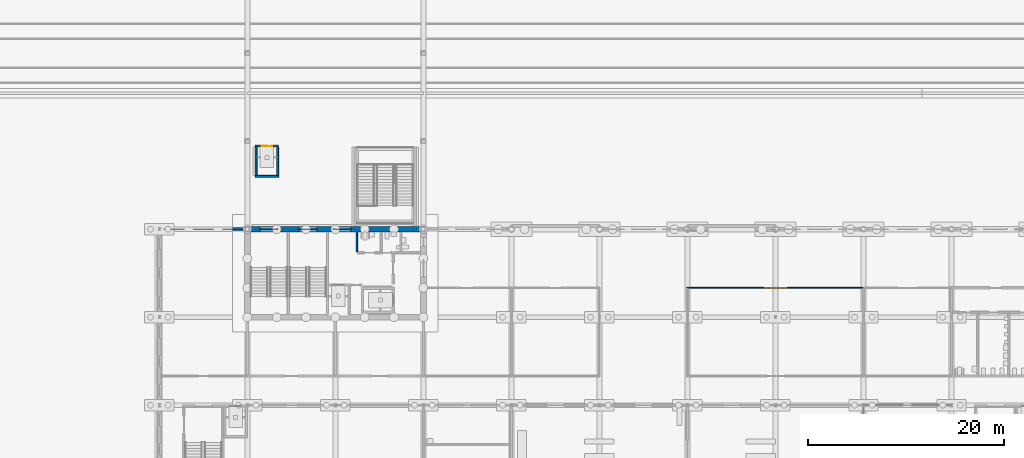
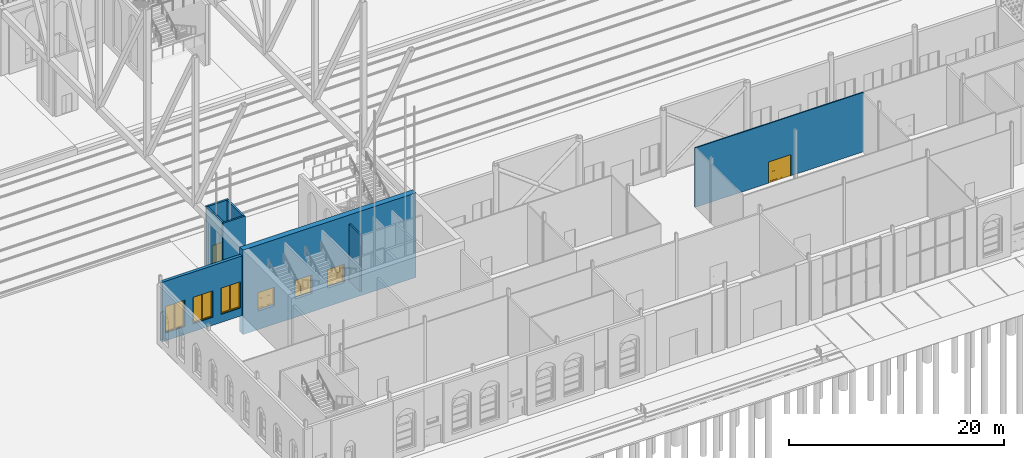
# One storey, part 97 of 250: 8 walls, 5 doors, 3 windows, 8 openings.
"""IFC4 building model written with IfcOpenShell, lengths in metres."""

from ifc_helpers import new_model, si_unit, direction, frame, frame_2d, origin, place, context, subcontext, project, spatial, polyline, rectangle, outline, extrude, material, layer, layer_set, type_object, element, fill, save


model = new_model("IFC4")

# Units and contexts
model_context = context("Model", 3, precision=1e-05, world=origin(), true_north=direction((0.0, 1.0)))
body_context = subcontext(model_context, "Body", "Model", "MODEL_VIEW")
ifc_project = project(units=[si_unit("LENGTHUNIT", "METRE"), si_unit("AREAUNIT", "SQUARE_METRE"), si_unit("VOLUMEUNIT", "CUBIC_METRE"), si_unit("PLANEANGLEUNIT", "RADIAN"), si_unit("MASSUNIT", "GRAM", prefix="KILO")], contexts=[model_context])

# Site, building, storey
site_placement = place(None, origin())
site = spatial("IfcSite", under=ifc_project, at=site_placement, CompositionType="ELEMENT")
building_placement = place(site_placement, origin())
building = spatial("IfcBuilding", under=site, at=building_placement, Name="Baradari Gate Terminus", CompositionType="ELEMENT")
storey_placement = place(building_placement, origin())
storey = spatial("IfcBuildingStorey", under=building, at=storey_placement, Name="L00", CompositionType="ELEMENT", Elevation=0.0)

# Wall, openings, doors
ifc_material_1 = material(Name="Concrete C40/50", Category="concrete")
ifc_layer_1 = layer(ifc_material_1, 0.60009765625)
ifc_layer_set_1 = layer_set([ifc_layer_1], Name="Concrete C40/50")
wall_type_1 = type_object("IfcWallType", Name="Abutment core wall CWL04 600", PredefinedType="SOLIDWALL", material=ifc_layer_set_1)
wall_1_placement = place(storey_placement, frame((71.699951171875, 36.0, -2.10009765625), z_axis=(0.0, 0.0, 1.0), x_axis=(1.0, 0.0, 0.0)))
wall_1 = element("IfcWall", 1, at=wall_1_placement, inside=storey, type_object=wall_type_1, Name="Abutment core wall GS N L00", PredefinedType="SOLIDWALL", context=body_context, shape_type="SweptSolid", body=[
    extrude(rectangle(XDim=18.60009765625, YDim=0.60009765625, at=frame_2d((9.300048828125, 0.0))), origin(), (0.0, 0.0, 1.0), 9.60009765625),
])
opening_1_placement = place(wall_1_placement, frame((1.60009765625, 0.0, 2.10009765625)))
opening_1 = element("IfcOpeningElement", 2, at=opening_1_placement, cuts=wall_1, Name="Opening D00-161", PredefinedType="OPENING", context=body_context, shape_type="SweptSolid", body=[
    extrude(rectangle(XDim=1.800048828125, YDim=2.10009765625, at=frame_2d((0.89990234375, 1.050048828125))), frame((0.0, 0.31005859375, 0.0), z_axis=(0.0, -1.0, 0.0), x_axis=(1.0, 0.0, 0.0)), (0.0, 0.0, 1.0), 0.6201171875),
])
opening_2_placement = place(wall_1_placement, frame((5.60009765625, 0.0, 2.10009765625)))
opening_2 = element("IfcOpeningElement", 3, at=opening_2_placement, cuts=wall_1, Name="Opening D00-162", PredefinedType="OPENING", context=body_context, shape_type="SweptSolid", body=[
    extrude(rectangle(XDim=1.800048828125, YDim=2.10009765625, at=frame_2d((0.89990234375, 1.050048828125))), frame((0.0, 0.31005859375, 0.0), z_axis=(0.0, -1.0, 0.0), x_axis=(1.0, 0.0, 0.0)), (0.0, 0.0, 1.0), 0.6201171875),
])
opening_3_placement = place(wall_1_placement, frame((9.10009765625, 0.0, 2.10009765625)))
opening_3 = element("IfcOpeningElement", 4, at=opening_3_placement, cuts=wall_1, Name="Opening D00-163", PredefinedType="OPENING", context=body_context, shape_type="SweptSolid", body=[
    extrude(rectangle(XDim=1.800048828125, YDim=2.10009765625, at=frame_2d((0.89990234375, 1.050048828125))), frame((0.0, 0.31005859375, 0.0), z_axis=(0.0, -1.0, 0.0), x_axis=(1.0, 0.0, 0.0)), (0.0, 0.0, 1.0), 0.6201171875),
])
ifc_material_2 = material(Name="Steel S275", Category="steel")
door_type_1 = type_object("IfcDoorType", Name="Fire door FI-1800-FD90S 1800x2100 FD90S", OperationType="DOUBLE_DOOR_SINGLE_SWING", PredefinedType="DOOR", material=ifc_material_2)
door_1_placement = place(opening_1_placement, origin())
door_1 = element("IfcDoor", 5, at=door_1_placement, inside=storey, type_object=door_type_1, Name="Door Stair (Gate South) 1", OperationType="DOUBLE_DOOR_SINGLE_SWING", OverallHeight=2.1, OverallWidth=1.8, PredefinedType="DOOR", context=body_context, shape_type="SweptSolid", body=[
    extrude(outline(polyline([(0.0, 0.0), (0.070068359375, 0.0), (0.070068359375, 2.030029296875), (1.72998046875, 2.030029296875), (1.72998046875, 0.0), (1.800048828125, 0.0), (1.800048828125, 2.10009765625), (0.0, 2.10009765625), (0.0, 0.0)])), frame((0.0, 0.02490234375, 0.0), z_axis=(0.0, -1.0, 0.0), x_axis=(1.0, 0.0, 0.0)), (0.0, 0.0, 1.0), 0.050048828125),
    extrude(outline(polyline([(0.073974609375, 0.010009765625), (0.89697265625, 0.010009765625), (0.89697265625, 2.026123046875), (0.073974609375, 2.026123046875), (0.073974609375, 0.010009765625)]), holes=[polyline([(0.194091796875, 0.159912109375), (0.77685546875, 0.159912109375), (0.77685546875, 1.010009765625), (0.194091796875, 1.010009765625), (0.194091796875, 0.159912109375)]), polyline([(0.33544921875, 1.159912109375), (0.635498046875, 1.159912109375), (0.635498046875, 1.760009765625), (0.33544921875, 1.760009765625), (0.33544921875, 1.159912109375)])]), frame((0.0, 0.017333984375, 0.0), z_axis=(0.0, -1.0, 0.0), x_axis=(1.0, 0.0, 0.0)), (0.0, 0.0, 1.0), 0.034912109375),
    extrude(rectangle(XDim=0.582763671875, YDim=0.85009765625, at=frame_2d((0.4853515625, 0.5849609375))), frame((0.0, 0.008544921875, 0.0), z_axis=(0.0, -1.0, 0.0), x_axis=(1.0, 0.0, 0.0)), (0.0, 0.0, 1.0), 0.017333984375),
    extrude(rectangle(XDim=0.300048828125, YDim=0.60009765625, at=frame_2d((0.4853515625, 1.4599609375))), frame((0.0, 0.005859375, 0.0), z_axis=(0.0, -1.0, 0.0), x_axis=(1.0, 0.0, 0.0)), (0.0, 0.0, 1.0), 0.011962890625),
    extrude(outline(polyline([(0.903076171875, 0.010009765625), (1.72607421875, 0.010009765625), (1.72607421875, 2.026123046875), (0.903076171875, 2.026123046875), (0.903076171875, 0.010009765625)]), holes=[polyline([(1.023193359375, 0.159912109375), (1.60595703125, 0.159912109375), (1.60595703125, 1.010009765625), (1.023193359375, 1.010009765625), (1.023193359375, 0.159912109375)]), polyline([(1.16455078125, 1.159912109375), (1.464599609375, 1.159912109375), (1.464599609375, 1.760009765625), (1.16455078125, 1.760009765625), (1.16455078125, 1.159912109375)])]), frame((0.0, 0.017333984375, 0.0), z_axis=(0.0, -1.0, 0.0), x_axis=(1.0, 0.0, 0.0)), (0.0, 0.0, 1.0), 0.034912109375),
    extrude(rectangle(XDim=0.582763671875, YDim=0.85009765625, at=frame_2d((1.314453125, 0.5849609375))), frame((0.0, 0.008544921875, 0.0), z_axis=(0.0, -1.0, 0.0), x_axis=(1.0, 0.0, 0.0)), (0.0, 0.0, 1.0), 0.017333984375),
    extrude(rectangle(XDim=0.300048828125, YDim=0.60009765625, at=frame_2d((1.314453125, 1.4599609375))), frame((0.0, 0.005859375, 0.0), z_axis=(0.0, -1.0, 0.0), x_axis=(1.0, 0.0, 0.0)), (0.0, 0.0, 1.0), 0.011962890625),
])
fill(opening_1, door_1)
door_2_placement = place(opening_2_placement, origin())
door_2 = element("IfcDoor", 6, at=door_2_placement, inside=storey, type_object=door_type_1, Name="Door Stair (Gate South) 2", OperationType="DOUBLE_DOOR_SINGLE_SWING", OverallHeight=2.1, OverallWidth=1.8, PredefinedType="DOOR", context=body_context, shape_type="SweptSolid", body=[
    extrude(outline(polyline([(0.0, 0.0), (0.070068359375, 0.0), (0.070068359375, 2.030029296875), (1.72998046875, 2.030029296875), (1.72998046875, 0.0), (1.800048828125, 0.0), (1.800048828125, 2.10009765625), (0.0, 2.10009765625), (0.0, 0.0)])), frame((0.0, 0.02490234375, 0.0), z_axis=(0.0, -1.0, 0.0), x_axis=(1.0, 0.0, 0.0)), (0.0, 0.0, 1.0), 0.050048828125),
    extrude(outline(polyline([(0.073974609375, 0.010009765625), (0.89697265625, 0.010009765625), (0.89697265625, 2.026123046875), (0.073974609375, 2.026123046875), (0.073974609375, 0.010009765625)]), holes=[polyline([(0.194091796875, 0.159912109375), (0.77685546875, 0.159912109375), (0.77685546875, 1.010009765625), (0.194091796875, 1.010009765625), (0.194091796875, 0.159912109375)]), polyline([(0.33544921875, 1.159912109375), (0.635498046875, 1.159912109375), (0.635498046875, 1.760009765625), (0.33544921875, 1.760009765625), (0.33544921875, 1.159912109375)])]), frame((0.0, 0.017333984375, 0.0), z_axis=(0.0, -1.0, 0.0), x_axis=(1.0, 0.0, 0.0)), (0.0, 0.0, 1.0), 0.034912109375),
    extrude(rectangle(XDim=0.582763671875, YDim=0.85009765625, at=frame_2d((0.4853515625, 0.5849609375))), frame((0.0, 0.008544921875, 0.0), z_axis=(0.0, -1.0, 0.0), x_axis=(1.0, 0.0, 0.0)), (0.0, 0.0, 1.0), 0.017333984375),
    extrude(rectangle(XDim=0.300048828125, YDim=0.60009765625, at=frame_2d((0.4853515625, 1.4599609375))), frame((0.0, 0.005859375, 0.0), z_axis=(0.0, -1.0, 0.0), x_axis=(1.0, 0.0, 0.0)), (0.0, 0.0, 1.0), 0.011962890625),
    extrude(outline(polyline([(0.903076171875, 0.010009765625), (1.72607421875, 0.010009765625), (1.72607421875, 2.026123046875), (0.903076171875, 2.026123046875), (0.903076171875, 0.010009765625)]), holes=[polyline([(1.023193359375, 0.159912109375), (1.60595703125, 0.159912109375), (1.60595703125, 1.010009765625), (1.023193359375, 1.010009765625), (1.023193359375, 0.159912109375)]), polyline([(1.16455078125, 1.159912109375), (1.464599609375, 1.159912109375), (1.464599609375, 1.760009765625), (1.16455078125, 1.760009765625), (1.16455078125, 1.159912109375)])]), frame((0.0, 0.017333984375, 0.0), z_axis=(0.0, -1.0, 0.0), x_axis=(1.0, 0.0, 0.0)), (0.0, 0.0, 1.0), 0.034912109375),
    extrude(rectangle(XDim=0.582763671875, YDim=0.85009765625, at=frame_2d((1.314453125, 0.5849609375))), frame((0.0, 0.008544921875, 0.0), z_axis=(0.0, -1.0, 0.0), x_axis=(1.0, 0.0, 0.0)), (0.0, 0.0, 1.0), 0.017333984375),
    extrude(rectangle(XDim=0.300048828125, YDim=0.60009765625, at=frame_2d((1.314453125, 1.4599609375))), frame((0.0, 0.005859375, 0.0), z_axis=(0.0, -1.0, 0.0), x_axis=(1.0, 0.0, 0.0)), (0.0, 0.0, 1.0), 0.011962890625),
])
fill(opening_2, door_2)
door_3_placement = place(opening_3_placement, frame((1.800048828125, 0.0, 0.0), z_axis=(0.0, 0.0, 1.0), x_axis=(-1.0, 0.0, 0.0)))
door_3 = element("IfcDoor", 7, at=door_3_placement, inside=storey, type_object=door_type_1, Name="Door Lift Lobby", OperationType="DOUBLE_DOOR_SINGLE_SWING", OverallHeight=2.1, OverallWidth=1.8, PredefinedType="DOOR", context=body_context, shape_type="SweptSolid", body=[
    extrude(outline(polyline([(0.0, 0.0), (0.070068359375, 0.0), (0.070068359375, 2.030029296875), (1.72998046875, 2.030029296875), (1.72998046875, 0.0), (1.800048828125, 0.0), (1.800048828125, 2.10009765625), (0.0, 2.10009765625), (0.0, 0.0)])), frame((0.0, 0.02490234375, 0.0), z_axis=(0.0, -1.0, 0.0), x_axis=(1.0, 0.0, 0.0)), (0.0, 0.0, 1.0), 0.050048828125),
    extrude(outline(polyline([(0.073974609375, 0.010009765625), (0.89697265625, 0.010009765625), (0.89697265625, 2.026123046875), (0.073974609375, 2.026123046875), (0.073974609375, 0.010009765625)]), holes=[polyline([(0.194091796875, 0.159912109375), (0.77685546875, 0.159912109375), (0.77685546875, 1.010009765625), (0.194091796875, 1.010009765625), (0.194091796875, 0.159912109375)]), polyline([(0.33544921875, 1.159912109375), (0.635498046875, 1.159912109375), (0.635498046875, 1.760009765625), (0.33544921875, 1.760009765625), (0.33544921875, 1.159912109375)])]), frame((0.0, 0.017333984375, 0.0), z_axis=(0.0, -1.0, 0.0), x_axis=(1.0, 0.0, 0.0)), (0.0, 0.0, 1.0), 0.034912109375),
    extrude(rectangle(XDim=0.582763671875, YDim=0.85009765625, at=frame_2d((0.4853515625, 0.5849609375))), frame((0.0, 0.008544921875, 0.0), z_axis=(0.0, -1.0, 0.0), x_axis=(1.0, 0.0, 0.0)), (0.0, 0.0, 1.0), 0.017333984375),
    extrude(rectangle(XDim=0.300048828125, YDim=0.60009765625, at=frame_2d((0.4853515625, 1.4599609375))), frame((0.0, 0.005859375, 0.0), z_axis=(0.0, -1.0, 0.0), x_axis=(1.0, 0.0, 0.0)), (0.0, 0.0, 1.0), 0.011962890625),
    extrude(outline(polyline([(0.903076171875, 0.010009765625), (1.72607421875, 0.010009765625), (1.72607421875, 2.026123046875), (0.903076171875, 2.026123046875), (0.903076171875, 0.010009765625)]), holes=[polyline([(1.023193359375, 0.159912109375), (1.60595703125, 0.159912109375), (1.60595703125, 1.010009765625), (1.023193359375, 1.010009765625), (1.023193359375, 0.159912109375)]), polyline([(1.16455078125, 1.159912109375), (1.464599609375, 1.159912109375), (1.464599609375, 1.760009765625), (1.16455078125, 1.760009765625), (1.16455078125, 1.159912109375)])]), frame((0.0, 0.017333984375, 0.0), z_axis=(0.0, -1.0, 0.0), x_axis=(1.0, 0.0, 0.0)), (0.0, 0.0, 1.0), 0.034912109375),
    extrude(rectangle(XDim=0.582763671875, YDim=0.85009765625, at=frame_2d((1.314453125, 0.5849609375))), frame((0.0, 0.008544921875, 0.0), z_axis=(0.0, -1.0, 0.0), x_axis=(1.0, 0.0, 0.0)), (0.0, 0.0, 1.0), 0.017333984375),
    extrude(rectangle(XDim=0.300048828125, YDim=0.60009765625, at=frame_2d((1.314453125, 1.4599609375))), frame((0.0, 0.005859375, 0.0), z_axis=(0.0, -1.0, 0.0), x_axis=(1.0, 0.0, 0.0)), (0.0, 0.0, 1.0), 0.011962890625),
])
fill(opening_3, door_3)

# Wall, opening, door
ifc_material_3 = material(Name="Gypsum board")
ifc_layer_2 = layer(ifc_material_3, 0.125)
ifc_layer_set_2 = layer_set([ifc_layer_2], Name="Gypsum board")
wall_type_2 = type_object("IfcWallType", Name="Corridor partition PT-5 125 EI 30", PredefinedType="PARTITIONING", material=ifc_layer_set_2)
wall_2_placement = place(storey_placement, frame((135.0, 30.0, 0.0), z_axis=(0.0, 0.0, 1.0), x_axis=(-1.0, 0.0, 0.0)))
wall_2 = element("IfcWall", 8, at=wall_2_placement, inside=storey, type_object=wall_type_2, Name="PT-5 partition Corridor (Platform Passage South) / Baggage Hall", PredefinedType="PARTITIONING", context=body_context, shape_type="SweptSolid", body=[
    extrude(rectangle(XDim=18.0625, YDim=0.125, at=frame_2d((9.03125, 0.0))), origin(), (0.0, 0.0, 1.0), 6.757080078125),
])
opening_4_placement = place(wall_2_placement, frame((7.800048828125, 0.0, 0.0)))
opening_4 = element("IfcOpeningElement", 9, at=opening_4_placement, cuts=wall_2, Name="Opening D00-134", PredefinedType="OPENING", context=body_context, shape_type="SweptSolid", body=[
    extrude(rectangle(XDim=2.39990234375, YDim=2.39990234375, at=frame_2d((1.199951171875, 1.199951171875))), frame((0.0, 0.072509765625, 0.0), z_axis=(0.0, -1.0, 0.0), x_axis=(1.0, 0.0, 0.0)), (0.0, 0.0, 1.0), 0.14501953125),
])
ifc_material_4 = material(Name="Steel S275", Category="steel")
door_type_2 = type_object("IfcDoorType", Name="Fire door FI-2400x2400-FD30S 2400x2400 FD30S", OperationType="DOUBLE_DOOR_SINGLE_SWING", PredefinedType="DOOR", material=ifc_material_4)
door_4_placement = place(opening_4_placement, origin())
door_4 = element("IfcDoor", 10, at=door_4_placement, inside=storey, type_object=door_type_2, Name="Door Baggage Hall", OperationType="DOUBLE_DOOR_SINGLE_SWING", OverallHeight=2.4, OverallWidth=2.4, PredefinedType="DOOR", context=body_context, shape_type="SweptSolid", body=[
    extrude(outline(polyline([(0.0, 0.0), (0.070068359375, 0.0), (0.070068359375, 2.329833984375), (2.329833984375, 2.329833984375), (2.329833984375, 0.0), (2.39990234375, 0.0), (2.39990234375, 2.39990234375), (0.0, 2.39990234375), (0.0, 0.0)])), frame((0.0, 0.02490234375, 0.0), z_axis=(0.0, -1.0, 0.0), x_axis=(1.0, 0.0, 0.0)), (0.0, 0.0, 1.0), 0.050048828125),
    extrude(outline(polyline([(0.073974609375, 0.010009765625), (1.19677734375, 0.010009765625), (1.19677734375, 2.325927734375), (0.073974609375, 2.325927734375), (0.073974609375, 0.010009765625)]), holes=[polyline([(0.194091796875, 0.159912109375), (1.076904296875, 0.159912109375), (1.076904296875, 1.010009765625), (0.194091796875, 1.010009765625), (0.194091796875, 0.159912109375)]), polyline([(0.4853515625, 1.159912109375), (0.785400390625, 1.159912109375), (0.785400390625, 1.760009765625), (0.4853515625, 1.760009765625), (0.4853515625, 1.159912109375)])]), frame((0.0, 0.017333984375, 0.0), z_axis=(0.0, -1.0, 0.0), x_axis=(1.0, 0.0, 0.0)), (0.0, 0.0, 1.0), 0.034912109375),
    extrude(rectangle(XDim=0.8828125, YDim=0.85009765625, at=frame_2d((0.635498046875, 0.5849609375))), frame((0.0, 0.008544921875, 0.0), z_axis=(0.0, -1.0, 0.0), x_axis=(1.0, 0.0, 0.0)), (0.0, 0.0, 1.0), 0.017333984375),
    extrude(rectangle(XDim=0.300048828125, YDim=0.60009765625, at=frame_2d((0.63525390625, 1.4599609375))), frame((0.0, 0.005859375, 0.0), z_axis=(0.0, -1.0, 0.0), x_axis=(1.0, 0.0, 0.0)), (0.0, 0.0, 1.0), 0.011962890625),
    extrude(outline(polyline([(1.203125, 0.010009765625), (2.325927734375, 0.010009765625), (2.325927734375, 2.325927734375), (1.203125, 2.325927734375), (1.203125, 0.010009765625)]), holes=[polyline([(1.322998046875, 0.159912109375), (2.205810546875, 0.159912109375), (2.205810546875, 1.010009765625), (1.322998046875, 1.010009765625), (1.322998046875, 0.159912109375)]), polyline([(1.614501953125, 1.159912109375), (1.91455078125, 1.159912109375), (1.91455078125, 1.760009765625), (1.614501953125, 1.760009765625), (1.614501953125, 1.159912109375)])]), frame((0.0, 0.017333984375, 0.0), z_axis=(0.0, -1.0, 0.0), x_axis=(1.0, 0.0, 0.0)), (0.0, 0.0, 1.0), 0.034912109375),
    extrude(rectangle(XDim=0.8828125, YDim=0.85009765625, at=frame_2d((1.764404296875, 0.5849609375))), frame((0.0, 0.008544921875, 0.0), z_axis=(0.0, -1.0, 0.0), x_axis=(1.0, 0.0, 0.0)), (0.0, 0.0, 1.0), 0.017333984375),
    extrude(rectangle(XDim=0.300048828125, YDim=0.60009765625, at=frame_2d((1.7646484375, 1.4599609375))), frame((0.0, 0.005859375, 0.0), z_axis=(0.0, -1.0, 0.0), x_axis=(1.0, 0.0, 0.0)), (0.0, 0.0, 1.0), 0.011962890625),
])
fill(opening_4, door_4)

# Wall
ifc_material_5 = material(Name="Blockwork wall, fire rated", Category="masonry")
ifc_layer_3 = layer(ifc_material_5, 0.199951171875)
ifc_layer_set_3 = layer_set([ifc_layer_3], Name="Blockwork wall, fire rated")
wall_type_3 = type_object("IfcWallType", Name="Lift shaft wall SH-1 200 EI 120", PredefinedType="SOLIDWALL", material=ifc_layer_set_3)
wall_3_placement = place(storey_placement, frame((72.800048828125, 41.39990234375, -1.60009765625), z_axis=(0.0, 0.0, 1.0), x_axis=(1.0, 0.0, 0.0)))
element("IfcWall", 11, at=wall_3_placement, inside=storey, type_object=wall_type_3, Name="Lift shaft wall LP1 L00 S", PredefinedType="SOLIDWALL", context=body_context, shape_type="SweptSolid", body=[
    extrude(rectangle(XDim=2.39990234375, YDim=0.199951171875, at=frame_2d((1.199951171875, 0.0))), origin(), (0.0, 0.0, 1.0), 8.357177734375),
])

# Wall, opening, door
wall_4_placement = place(storey_placement, frame((72.800048828125, 44.5, -1.60009765625), z_axis=(0.0, 0.0, 1.0), x_axis=(1.0, 0.0, 0.0)))
wall_4 = element("IfcWall", 12, at=wall_4_placement, inside=storey, type_object=wall_type_3, Name="Lift shaft wall LP1 L00 N", PredefinedType="SOLIDWALL", context=body_context, shape_type="SweptSolid", body=[
    extrude(rectangle(XDim=2.39990234375, YDim=0.199951171875, at=frame_2d((1.199951171875, 0.0))), origin(), (0.0, 0.0, 1.0), 8.357177734375),
])
opening_5_placement = place(wall_4_placement, frame((0.64990234375, 0.0, 1.60009765625)))
opening_5 = element("IfcOpeningElement", 13, at=opening_5_placement, cuts=wall_4, Name="Opening D00-077", PredefinedType="OPENING", context=body_context, shape_type="SweptSolid", body=[
    extrude(rectangle(XDim=1.10009765625, YDim=2.10009765625, at=frame_2d((0.550048828125, 1.050048828125))), frame((0.0, 0.10986328125, 0.0), z_axis=(0.0, -1.0, 0.0), x_axis=(1.0, 0.0, 0.0)), (0.0, 0.0, 1.0), 0.219970703125),
])
ifc_material_6 = material(Name="Stainless steel 1.4301", Category="steel")
door_type_3 = type_object("IfcDoorType", Name="Lift landing door LD 1100x2100 E 120", OperationType="SLIDING_TO_LEFT", PredefinedType="DOOR", material=ifc_material_6)
door_5_placement = place(opening_5_placement, origin())
door_5 = element("IfcDoor", 14, at=door_5_placement, inside=storey, type_object=door_type_3, Name="Lift landing door LP1 L00", OperationType="SLIDING_TO_LEFT", OverallHeight=2.1, OverallWidth=1.1, PredefinedType="DOOR", context=body_context, shape_type="SweptSolid", body=[
    extrude(outline(polyline([(0.0, 0.0), (0.070068359375, 0.0), (0.070068359375, 2.030029296875), (1.030029296875, 2.030029296875), (1.030029296875, 0.0), (1.10009765625, 0.0), (1.10009765625, 2.10009765625), (0.0, 2.10009765625), (0.0, 0.0)])), frame((0.0, 0.02490234375, 0.0), z_axis=(0.0, -1.0, 0.0), x_axis=(1.0, 0.0, 0.0)), (0.0, 0.0, 1.0), 0.050048828125),
    extrude(rectangle(XDim=0.523681640625, YDim=2.01611328125, at=frame_2d((0.3359375, 1.01806640625))), frame((0.0, 0.017822265625, 0.0), z_axis=(0.0, -1.0, 0.0), x_axis=(1.0, 0.0, 0.0)), (0.0, 0.0, 1.0), 0.015869140625),
    extrude(rectangle(XDim=0.519775390625, YDim=2.01611328125, at=frame_2d((0.76611328125, 1.01806640625))), frame((0.0, -0.002197265625, 0.0), z_axis=(0.0, -1.0, 0.0), x_axis=(1.0, 0.0, 0.0)), (0.0, 0.0, 1.0), 0.015869140625),
])
fill(opening_5, door_5)

# Walls
for number, where, z_axis, x_axis, name in (
    (15, (72.89990234375, 41.5, -1.60009765625), (0.0, 0.0, 1.0), (0.0, 1.0, 0.0), "Lift shaft wall LP1 L00 W"),
    (16, (75.10009765625, 41.5, -1.60009765625), (0.0, 0.0, 1.0), (0.0, 1.0, 0.0), "Lift shaft wall LP1 L00 E"),
):
    element("IfcWall", number, at=place(storey_placement, frame(where, z_axis=z_axis, x_axis=x_axis)), inside=storey, type_object=wall_type_3, Name=name, PredefinedType="SOLIDWALL", context=body_context, shape_type="SweptSolid", body=[
        extrude(rectangle(XDim=2.89990234375, YDim=0.199951171875, at=frame_2d((1.449951171875, 0.0))), origin(), (0.0, 0.0, 1.0), 8.357177734375),
    ])

# Wall, openings, windows
ifc_material_7 = material(Name="Sandstone masonry", Category="masonry")
ifc_layer_4 = layer(ifc_material_7, 0.320068359375)
ifc_layer_set_4 = layer_set([ifc_layer_4], Name="Sandstone masonry")
wall_type_4 = type_object("IfcWallType", Name="Sandstone masonry wall WS-3 320", PredefinedType="SOLIDWALL", material=ifc_layer_set_4)
wall_5_placement = place(storey_placement, frame((63.128173828125, 36.0, 0.0), z_axis=(0.0, 0.0, 1.0), x_axis=(1.0, 0.0, 0.0)))
wall_5 = element("IfcWall", 17, at=wall_5_placement, inside=storey, type_object=wall_type_4, Name="platform side wall SN bay 8 L00", PredefinedType="SOLIDWALL", context=body_context, shape_type="SweptSolid", body=[
    extrude(rectangle(XDim=8.621826171875, YDim=0.320068359375, at=frame_2d((4.31103515625, 0.0))), origin(), (0.0, 0.0, 1.0), 6.767333984375),
])
opening_6_placement = place(wall_5_placement, frame((0.32177734375, 0.0, 0.89990234375)))
opening_6 = element("IfcOpeningElement", 18, at=opening_6_placement, cuts=wall_5, Name="Opening W8", PredefinedType="OPENING", context=body_context, shape_type="SweptSolid", body=[
    extrude(rectangle(XDim=2.10009765625, YDim=3.0, at=frame_2d((1.050048828125, 1.5))), frame((0.0, 0.169921875, 0.0), z_axis=(0.0, -1.0, 0.0), x_axis=(1.0, 0.0, 0.0)), (0.0, 0.0, 1.0), 0.340087890625),
])
opening_7_placement = place(wall_5_placement, frame((3.32177734375, 0.0, 0.89990234375)))
opening_7 = element("IfcOpeningElement", 19, at=opening_7_placement, cuts=wall_5, Name="Opening W8", PredefinedType="OPENING", context=body_context, shape_type="SweptSolid", body=[
    extrude(rectangle(XDim=2.10009765625, YDim=3.0, at=frame_2d((1.050048828125, 1.5))), frame((0.0, 0.169921875, 0.0), z_axis=(0.0, -1.0, 0.0), x_axis=(1.0, 0.0, 0.0)), (0.0, 0.0, 1.0), 0.340087890625),
])
opening_8_placement = place(wall_5_placement, frame((6.32177734375, 0.0, 0.89990234375)))
opening_8 = element("IfcOpeningElement", 20, at=opening_8_placement, cuts=wall_5, Name="Opening W8", PredefinedType="OPENING", context=body_context, shape_type="SweptSolid", body=[
    extrude(rectangle(XDim=2.10009765625, YDim=3.0, at=frame_2d((1.050048828125, 1.5))), frame((0.0, 0.169921875, 0.0), z_axis=(0.0, -1.0, 0.0), x_axis=(1.0, 0.0, 0.0)), (0.0, 0.0, 1.0), 0.340087890625),
])
ifc_material_8 = material(Name="Aluminium 6063-T6", Category="aluminium")
window_type = type_object("IfcWindowType", Name="Platform-side window, 2-light W8 2100x3000", PartitioningType="DOUBLE_PANEL_VERTICAL", PredefinedType="WINDOW", material=ifc_material_8)
window_1_placement = place(opening_6_placement, origin())
window_1 = element("IfcWindow", 21, at=window_1_placement, inside=storey, type_object=window_type, Name="Window W8 SN/07", OverallHeight=3.0, OverallWidth=2.1, PartitioningType="DOUBLE_PANEL_VERTICAL", PredefinedType="WINDOW", context=body_context, shape_type="SweptSolid", body=[
    extrude(outline(polyline([(0.0, 0.0), (2.10009765625, 0.0), (2.10009765625, 3.0), (0.0, 3.0), (0.0, 0.0)]), holes=[polyline([(0.070068359375, 0.070068359375), (2.030029296875, 0.070068359375), (2.030029296875, 2.929931640625), (0.070068359375, 2.929931640625), (0.070068359375, 0.070068359375)])]), frame((0.0, 0.030029296875, 0.0), z_axis=(0.0, -1.0, 0.0), x_axis=(1.0, 0.0, 0.0)), (0.0, 0.0, 1.0), 0.06005859375),
    extrude(rectangle(XDim=0.0400390625, YDim=2.85986328125, at=frame_2d((1.050048828125, 1.5))), frame((0.0, 0.02197265625, 0.0), z_axis=(0.0, -1.0, 0.0), x_axis=(1.0, 0.0, 0.0)), (0.0, 0.0, 1.0), 0.0439453125),
    extrude(outline(polyline([(0.070068359375, 0.070068359375), (1.030029296875, 0.070068359375), (1.030029296875, 2.929931640625), (0.070068359375, 2.929931640625), (0.070068359375, 0.070068359375)]), holes=[polyline([(0.10009765625, 0.10009765625), (1.0, 0.10009765625), (1.0, 2.89990234375), (0.10009765625, 2.89990234375), (0.10009765625, 0.10009765625)])]), frame((0.0, 0.0224609375, 0.0), z_axis=(0.0, -1.0, 0.0), x_axis=(1.0, 0.0, 0.0)), (0.0, 0.0, 1.0), 0.044921875),
    extrude(rectangle(XDim=0.89990234375, YDim=2.7998046875, at=frame_2d((0.550048828125, 1.5))), frame((0.0, 0.006103515625, 0.0), z_axis=(0.0, -1.0, 0.0), x_axis=(1.0, 0.0, 0.0)), (0.0, 0.0, 1.0), 0.01220703125),
    extrude(outline(polyline([(1.070068359375, 0.070068359375), (2.030029296875, 0.070068359375), (2.030029296875, 2.929931640625), (1.070068359375, 2.929931640625), (1.070068359375, 0.070068359375)]), holes=[polyline([(1.10009765625, 0.10009765625), (2.0, 0.10009765625), (2.0, 2.89990234375), (1.10009765625, 2.89990234375), (1.10009765625, 0.10009765625)])]), frame((0.0, 0.0224609375, 0.0), z_axis=(0.0, -1.0, 0.0), x_axis=(1.0, 0.0, 0.0)), (0.0, 0.0, 1.0), 0.044921875),
    extrude(rectangle(XDim=0.89990234375, YDim=2.7998046875, at=frame_2d((1.550048828125, 1.5))), frame((0.0, 0.006103515625, 0.0), z_axis=(0.0, -1.0, 0.0), x_axis=(1.0, 0.0, 0.0)), (0.0, 0.0, 1.0), 0.01220703125),
])
fill(opening_6, window_1)
window_2_placement = place(opening_7_placement, origin())
window_2 = element("IfcWindow", 22, at=window_2_placement, inside=storey, type_object=window_type, Name="Window W8 SN/07", OverallHeight=3.0, OverallWidth=2.1, PartitioningType="DOUBLE_PANEL_VERTICAL", PredefinedType="WINDOW", context=body_context, shape_type="SweptSolid", body=[
    extrude(outline(polyline([(0.0, 0.0), (2.10009765625, 0.0), (2.10009765625, 3.0), (0.0, 3.0), (0.0, 0.0)]), holes=[polyline([(0.070068359375, 0.070068359375), (2.030029296875, 0.070068359375), (2.030029296875, 2.929931640625), (0.070068359375, 2.929931640625), (0.070068359375, 0.070068359375)])]), frame((0.0, 0.030029296875, 0.0), z_axis=(0.0, -1.0, 0.0), x_axis=(1.0, 0.0, 0.0)), (0.0, 0.0, 1.0), 0.06005859375),
    extrude(rectangle(XDim=0.0400390625, YDim=2.85986328125, at=frame_2d((1.050048828125, 1.5))), frame((0.0, 0.02197265625, 0.0), z_axis=(0.0, -1.0, 0.0), x_axis=(1.0, 0.0, 0.0)), (0.0, 0.0, 1.0), 0.0439453125),
    extrude(outline(polyline([(0.070068359375, 0.070068359375), (1.030029296875, 0.070068359375), (1.030029296875, 2.929931640625), (0.070068359375, 2.929931640625), (0.070068359375, 0.070068359375)]), holes=[polyline([(0.10009765625, 0.10009765625), (1.0, 0.10009765625), (1.0, 2.89990234375), (0.10009765625, 2.89990234375), (0.10009765625, 0.10009765625)])]), frame((0.0, 0.0224609375, 0.0), z_axis=(0.0, -1.0, 0.0), x_axis=(1.0, 0.0, 0.0)), (0.0, 0.0, 1.0), 0.044921875),
    extrude(rectangle(XDim=0.89990234375, YDim=2.7998046875, at=frame_2d((0.550048828125, 1.5))), frame((0.0, 0.006103515625, 0.0), z_axis=(0.0, -1.0, 0.0), x_axis=(1.0, 0.0, 0.0)), (0.0, 0.0, 1.0), 0.01220703125),
    extrude(outline(polyline([(1.070068359375, 0.070068359375), (2.030029296875, 0.070068359375), (2.030029296875, 2.929931640625), (1.070068359375, 2.929931640625), (1.070068359375, 0.070068359375)]), holes=[polyline([(1.10009765625, 0.10009765625), (2.0, 0.10009765625), (2.0, 2.89990234375), (1.10009765625, 2.89990234375), (1.10009765625, 0.10009765625)])]), frame((0.0, 0.0224609375, 0.0), z_axis=(0.0, -1.0, 0.0), x_axis=(1.0, 0.0, 0.0)), (0.0, 0.0, 1.0), 0.044921875),
    extrude(rectangle(XDim=0.89990234375, YDim=2.7998046875, at=frame_2d((1.550048828125, 1.5))), frame((0.0, 0.006103515625, 0.0), z_axis=(0.0, -1.0, 0.0), x_axis=(1.0, 0.0, 0.0)), (0.0, 0.0, 1.0), 0.01220703125),
])
fill(opening_7, window_2)
window_3_placement = place(opening_8_placement, origin())
window_3 = element("IfcWindow", 23, at=window_3_placement, inside=storey, type_object=window_type, Name="Window W8 SN/07", OverallHeight=3.0, OverallWidth=2.1, PartitioningType="DOUBLE_PANEL_VERTICAL", PredefinedType="WINDOW", context=body_context, shape_type="SweptSolid", body=[
    extrude(outline(polyline([(0.0, 0.0), (2.10009765625, 0.0), (2.10009765625, 3.0), (0.0, 3.0), (0.0, 0.0)]), holes=[polyline([(0.070068359375, 0.070068359375), (2.030029296875, 0.070068359375), (2.030029296875, 2.929931640625), (0.070068359375, 2.929931640625), (0.070068359375, 0.070068359375)])]), frame((0.0, 0.030029296875, 0.0), z_axis=(0.0, -1.0, 0.0), x_axis=(1.0, 0.0, 0.0)), (0.0, 0.0, 1.0), 0.06005859375),
    extrude(rectangle(XDim=0.0400390625, YDim=2.85986328125, at=frame_2d((1.050048828125, 1.5))), frame((0.0, 0.02197265625, 0.0), z_axis=(0.0, -1.0, 0.0), x_axis=(1.0, 0.0, 0.0)), (0.0, 0.0, 1.0), 0.0439453125),
    extrude(outline(polyline([(0.070068359375, 0.070068359375), (1.030029296875, 0.070068359375), (1.030029296875, 2.929931640625), (0.070068359375, 2.929931640625), (0.070068359375, 0.070068359375)]), holes=[polyline([(0.10009765625, 0.10009765625), (1.0, 0.10009765625), (1.0, 2.89990234375), (0.10009765625, 2.89990234375), (0.10009765625, 0.10009765625)])]), frame((0.0, 0.0224609375, 0.0), z_axis=(0.0, -1.0, 0.0), x_axis=(1.0, 0.0, 0.0)), (0.0, 0.0, 1.0), 0.044921875),
    extrude(rectangle(XDim=0.89990234375, YDim=2.7998046875, at=frame_2d((0.550048828125, 1.5))), frame((0.0, 0.006103515625, 0.0), z_axis=(0.0, -1.0, 0.0), x_axis=(1.0, 0.0, 0.0)), (0.0, 0.0, 1.0), 0.01220703125),
    extrude(outline(polyline([(1.070068359375, 0.070068359375), (2.030029296875, 0.070068359375), (2.030029296875, 2.929931640625), (1.070068359375, 2.929931640625), (1.070068359375, 0.070068359375)]), holes=[polyline([(1.10009765625, 0.10009765625), (2.0, 0.10009765625), (2.0, 2.89990234375), (1.10009765625, 2.89990234375), (1.10009765625, 0.10009765625)])]), frame((0.0, 0.0224609375, 0.0), z_axis=(0.0, -1.0, 0.0), x_axis=(1.0, 0.0, 0.0)), (0.0, 0.0, 1.0), 0.044921875),
    extrude(rectangle(XDim=0.89990234375, YDim=2.7998046875, at=frame_2d((1.550048828125, 1.5))), frame((0.0, 0.006103515625, 0.0), z_axis=(0.0, -1.0, 0.0), x_axis=(1.0, 0.0, 0.0)), (0.0, 0.0, 1.0), 0.01220703125),
])
fill(opening_8, window_3)

# Wall
ifc_material_9 = material(Name="Blockwork wall, tiled both faces", Category="masonry")
ifc_layer_5 = layer(ifc_material_9, 0.175048828125)
ifc_layer_set_5 = layer_set([ifc_layer_5], Name="Blockwork wall, tiled both faces")
wall_type_5 = type_object("IfcWallType", Name="WC wet wall PT-6 175 EI 60", PredefinedType="PARTITIONING", material=ifc_layer_set_5)
wall_6_placement = place(storey_placement, frame((83.199951171875, 35.697998046875, 0.0), z_axis=(0.0, 0.0, 1.0), x_axis=(0.0, -1.0, 0.0)))
element("IfcWall", 24, at=wall_6_placement, inside=storey, type_object=wall_type_5, Name="PT-6 partition Lift Lobby / Accessible WC", PredefinedType="PARTITIONING", context=body_context, shape_type="SweptSolid", body=[
    extrude(rectangle(XDim=1.998046875, YDim=0.175048828125, at=frame_2d((0.9990234375, 0.0))), origin(), (0.0, 0.0, 1.0), 6.458984375),
])

save(model, "model.ifc")
